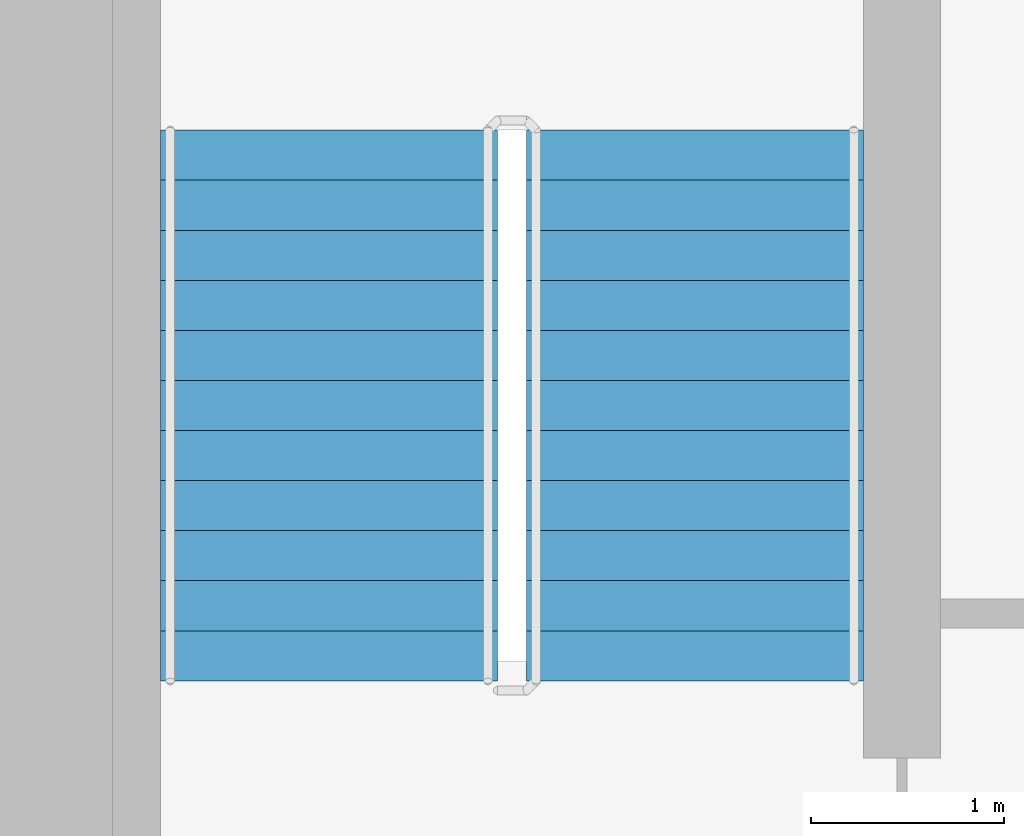
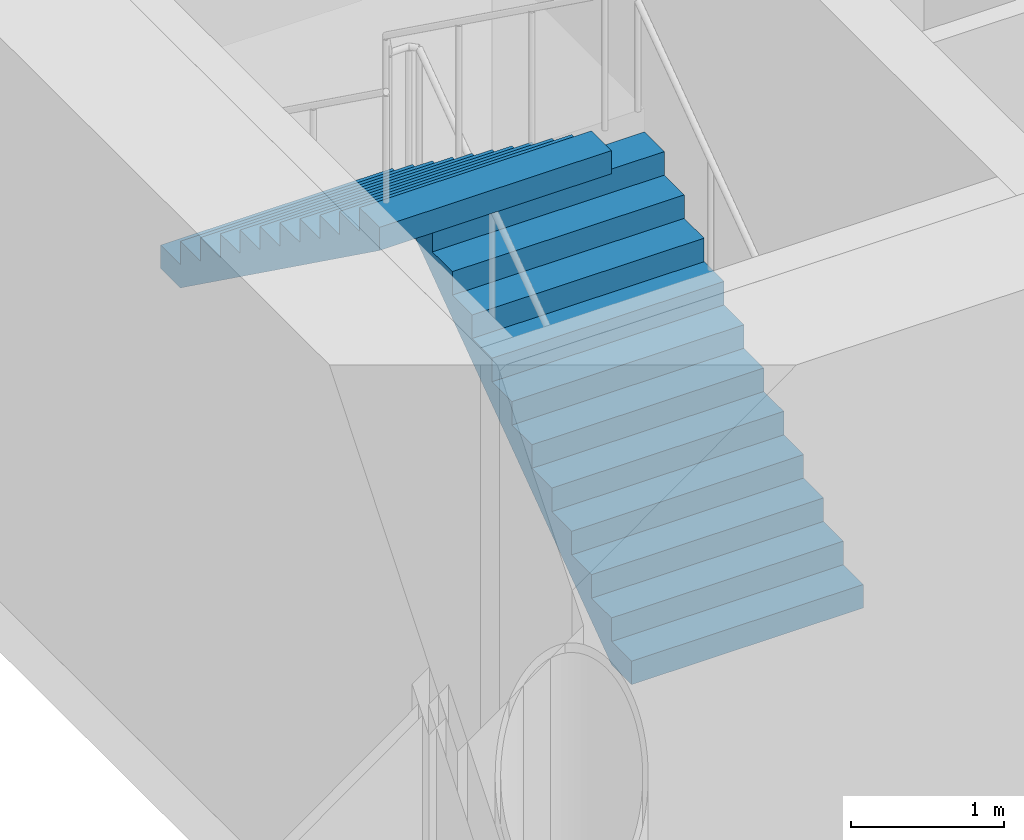
# One storey, part 18 of 20: 2 stair flights, 1 element without a shape of its own.
"""IFC4 building model written with IfcOpenShell, lengths in metres."""

from ifc_helpers import new_model, si_unit, direction, frame, origin, place, context, subcontext, project, spatial, faceted_brep, material, type_object, element, aggregate, save


model = new_model("IFC4")

# Units and contexts
model_context = context("Model", 3, precision=1e-05, world=origin(), true_north=direction((0.0, 1.0)))
body_context = subcontext(model_context, "Body", "Model", "MODEL_VIEW")
ifc_project = project(units=[si_unit("LENGTHUNIT", "METRE"), si_unit("AREAUNIT", "SQUARE_METRE"), si_unit("VOLUMEUNIT", "CUBIC_METRE"), si_unit("PLANEANGLEUNIT", "RADIAN"), si_unit("MASSUNIT", "GRAM", prefix="KILO")], contexts=[model_context])

# Site, building, storey
site_placement = place(None, origin())
site = spatial("IfcSite", under=ifc_project, at=site_placement, CompositionType="ELEMENT")
building_placement = place(site_placement, origin())
building = spatial("IfcBuilding", under=site, at=building_placement, Name="Ipe Terrace Towers", CompositionType="ELEMENT")
storey_placement = place(building_placement, frame((0.0, 0.0, 124.199951171875)))
storey = spatial("IfcBuildingStorey", under=building, at=storey_placement, Name="L34", CompositionType="ELEMENT", Elevation=124.199951171875)

# Stair, stair flights
ifc_material_1 = material(Name="Concrete C30/37", Category="concrete")
stair_type = type_object("IfcStairType", Name="Protected exit stair", PredefinedType="HALF_TURN_STAIR", material=ifc_material_1)
stair_placement = place(storey_placement, origin())
stair = element("IfcStair", 1, at=stair_placement, inside=storey, type_object=stair_type, Name="L34 Exit stair T2-C1", PredefinedType="HALF_TURN_STAIR")
ifc_material_2 = material(Name="Concrete C30/37", Category="concrete")
stair_flight_type = type_object("IfcStairFlightType", Name="Exit stair flight 1750", PredefinedType="STRAIGHT", material=ifc_material_2)
stair_flight_1_placement = place(storey_placement, frame((33.22509765625, 9.699951171875, 0.0), z_axis=(0.0, 0.0, 1.0), x_axis=(0.0, 1.0, 0.0)))
stair_flight_1 = element("IfcStairFlight", 2, at=stair_flight_1_placement, type_object=stair_flight_type, Name="T2-ST1 flight 1", NumberOfRisers=12, NumberOfTreads=11, PredefinedType="STRAIGHT", RiserHeight=0.1875, TreadLength=0.26, context=body_context, shape_type="Brep", body=[
    faceted_brep([(0.25634765625, -0.875, 0.0), (2.860107421875, -0.875, 1.877685546875), (2.860107421875, -0.875, 2.0625), (2.60009765625, -0.875, 2.0625), (2.60009765625, -0.875, 1.875), (2.340087890625, -0.875, 1.875), (2.340087890625, -0.875, 1.6875), (2.080078125, -0.875, 1.6875), (2.080078125, -0.875, 1.5), (1.820068359375, -0.875, 1.5), (1.820068359375, -0.875, 1.3125), (1.56005859375, -0.875, 1.3125), (1.56005859375, -0.875, 1.125), (1.300048828125, -0.875, 1.125), (1.300048828125, -0.875, 0.9375), (1.0400390625, -0.875, 0.9375), (1.0400390625, -0.875, 0.75), (0.780029296875, -0.875, 0.75), (0.780029296875, -0.875, 0.5625), (0.52001953125, -0.875, 0.5625), (0.52001953125, -0.875, 0.375), (0.260009765625, -0.875, 0.375), (0.260009765625, -0.875, 0.1875), (0.0, -0.875, 0.1875), (0.0, -0.875, 0.0), (0.0, 0.875, 0.0), (0.0, 0.875, 0.1875), (0.260009765625, 0.875, 0.1875), (0.260009765625, 0.875, 0.375), (0.52001953125, 0.875, 0.375), (0.52001953125, 0.875, 0.5625), (0.780029296875, 0.875, 0.5625), (0.780029296875, 0.875, 0.75), (1.0400390625, 0.875, 0.75), (1.0400390625, 0.875, 0.9375), (1.300048828125, 0.875, 0.9375), (1.300048828125, 0.875, 1.125), (1.56005859375, 0.875, 1.125), (1.56005859375, 0.875, 1.3125), (1.820068359375, 0.875, 1.3125), (1.820068359375, 0.875, 1.5), (2.080078125, 0.875, 1.5), (2.080078125, 0.875, 1.6875), (2.340087890625, 0.875, 1.6875), (2.340087890625, 0.875, 1.875), (2.60009765625, 0.875, 1.875), (2.60009765625, 0.875, 2.0625), (2.860107421875, 0.875, 2.0625), (2.860107421875, 0.875, 1.877685546875), (0.25634765625, 0.875, 0.0), (0.0, -0.300048828125, 0.1875), (0.0, -0.1201171875, 0.1875), (0.0, -0.06005859375, 0.1875), (0.0, -0.030029296875, 0.1875), (0.0, -0.010009765625, 0.1875), (0.0, 0.0, 0.1875), (0.0, 0.010009765625, 0.1875), (0.0, 0.030029296875, 0.1875), (0.0, 0.06005859375, 0.1875), (0.0, 0.1201171875, 0.1875), (0.0, 0.300048828125, 0.1875), (0.0, 0.300048828125, 0.0), (0.0, 0.1201171875, 0.0), (0.0, 0.06005859375, 0.0), (0.0, 0.030029296875, 0.0), (0.0, 0.010009765625, 0.0), (0.0, 0.0, 0.0), (0.0, -0.010009765625, 0.0), (0.0, -0.030029296875, 0.0), (0.0, -0.06005859375, 0.0), (0.0, -0.1201171875, 0.0), (0.0, -0.300048828125, 0.0), (0.260009765625, -0.300048828125, 0.1875), (0.260009765625, -0.1201171875, 0.1875), (0.260009765625, -0.06005859375, 0.1875), (0.260009765625, -0.030029296875, 0.1875), (0.260009765625, -0.010009765625, 0.1875), (0.260009765625, 0.0, 0.1875), (0.260009765625, 0.010009765625, 0.1875), (0.260009765625, 0.030029296875, 0.1875), (0.260009765625, 0.06005859375, 0.1875), (0.260009765625, 0.1201171875, 0.1875), (0.260009765625, 0.300048828125, 0.1875), (0.260009765625, -0.300048828125, 0.375), (0.260009765625, -0.1201171875, 0.375), (0.260009765625, -0.06005859375, 0.375), (0.260009765625, -0.030029296875, 0.375), (0.260009765625, -0.010009765625, 0.375), (0.260009765625, 0.0, 0.375), (0.260009765625, 0.010009765625, 0.375), (0.260009765625, 0.030029296875, 0.375), (0.260009765625, 0.06005859375, 0.375), (0.260009765625, 0.1201171875, 0.375), (0.260009765625, 0.300048828125, 0.375), (0.52001953125, -0.300048828125, 0.375), (0.52001953125, -0.1201171875, 0.375), (0.52001953125, -0.06005859375, 0.375), (0.52001953125, -0.030029296875, 0.375), (0.52001953125, -0.010009765625, 0.375), (0.52001953125, 0.0, 0.375), (0.52001953125, 0.010009765625, 0.375), (0.52001953125, 0.030029296875, 0.375), (0.52001953125, 0.06005859375, 0.375), (0.52001953125, 0.1201171875, 0.375), (0.52001953125, 0.300048828125, 0.375), (0.52001953125, -0.300048828125, 0.5625), (0.52001953125, -0.1201171875, 0.5625), (0.52001953125, -0.06005859375, 0.5625), (0.52001953125, -0.030029296875, 0.5625), (0.52001953125, -0.010009765625, 0.5625), (0.52001953125, 0.0, 0.5625), (0.52001953125, 0.010009765625, 0.5625), (0.52001953125, 0.030029296875, 0.5625), (0.52001953125, 0.06005859375, 0.5625), (0.52001953125, 0.1201171875, 0.5625), (0.52001953125, 0.300048828125, 0.5625), (0.780029296875, -0.300048828125, 0.5625), (0.780029296875, -0.1201171875, 0.5625), (0.780029296875, -0.06005859375, 0.5625), (0.780029296875, -0.030029296875, 0.5625), (0.780029296875, -0.010009765625, 0.5625), (0.780029296875, 0.0, 0.5625), (0.780029296875, 0.010009765625, 0.5625), (0.780029296875, 0.030029296875, 0.5625), (0.780029296875, 0.06005859375, 0.5625), (0.780029296875, 0.1201171875, 0.5625), (0.780029296875, 0.300048828125, 0.5625), (0.780029296875, -0.300048828125, 0.75), (0.780029296875, -0.1201171875, 0.75), (0.780029296875, -0.06005859375, 0.75), (0.780029296875, -0.030029296875, 0.75), (0.780029296875, -0.010009765625, 0.75), (0.780029296875, 0.0, 0.75), (0.780029296875, 0.010009765625, 0.75), (0.780029296875, 0.030029296875, 0.75), (0.780029296875, 0.06005859375, 0.75), (0.780029296875, 0.1201171875, 0.75), (0.780029296875, 0.300048828125, 0.75), (1.0400390625, -0.300048828125, 0.75), (1.0400390625, -0.1201171875, 0.75), (1.0400390625, -0.06005859375, 0.75), (1.0400390625, -0.030029296875, 0.75), (1.0400390625, -0.010009765625, 0.75), (1.0400390625, 0.0, 0.75), (1.0400390625, 0.010009765625, 0.75), (1.0400390625, 0.030029296875, 0.75), (1.0400390625, 0.06005859375, 0.75), (1.0400390625, 0.1201171875, 0.75), (1.0400390625, 0.300048828125, 0.75), (1.0400390625, -0.300048828125, 0.9375), (1.0400390625, -0.1201171875, 0.9375), (1.0400390625, -0.06005859375, 0.9375), (1.0400390625, -0.030029296875, 0.9375), (1.0400390625, -0.010009765625, 0.9375), (1.0400390625, 0.0, 0.9375), (1.0400390625, 0.010009765625, 0.9375), (1.0400390625, 0.030029296875, 0.9375), (1.0400390625, 0.06005859375, 0.9375), (1.0400390625, 0.1201171875, 0.9375), (1.0400390625, 0.300048828125, 0.9375), (1.300048828125, -0.300048828125, 0.9375), (1.300048828125, -0.1201171875, 0.9375), (1.300048828125, -0.06005859375, 0.9375), (1.300048828125, -0.030029296875, 0.9375), (1.300048828125, -0.010009765625, 0.9375), (1.300048828125, 0.0, 0.9375), (1.300048828125, 0.010009765625, 0.9375), (1.300048828125, 0.030029296875, 0.9375), (1.300048828125, 0.06005859375, 0.9375), (1.300048828125, 0.1201171875, 0.9375), (1.300048828125, 0.300048828125, 0.9375), (1.300048828125, -0.300048828125, 1.125), (1.300048828125, -0.1201171875, 1.125), (1.300048828125, -0.06005859375, 1.125), (1.300048828125, -0.030029296875, 1.125), (1.300048828125, -0.010009765625, 1.125), (1.300048828125, 0.0, 1.125), (1.300048828125, 0.010009765625, 1.125), (1.300048828125, 0.030029296875, 1.125), (1.300048828125, 0.06005859375, 1.125), (1.300048828125, 0.1201171875, 1.125), (1.300048828125, 0.300048828125, 1.125), (1.56005859375, -0.300048828125, 1.125), (1.56005859375, -0.1201171875, 1.125), (1.56005859375, -0.06005859375, 1.125), (1.56005859375, -0.030029296875, 1.125), (1.56005859375, -0.010009765625, 1.125), (1.56005859375, 0.0, 1.125), (1.56005859375, 0.010009765625, 1.125), (1.56005859375, 0.030029296875, 1.125), (1.56005859375, 0.06005859375, 1.125), (1.56005859375, 0.1201171875, 1.125), (1.56005859375, 0.300048828125, 1.125), (1.56005859375, -0.300048828125, 1.3125), (1.56005859375, -0.1201171875, 1.3125), (1.56005859375, -0.06005859375, 1.3125), (1.56005859375, -0.030029296875, 1.3125), (1.56005859375, -0.010009765625, 1.3125), (1.56005859375, 0.0, 1.3125), (1.56005859375, 0.010009765625, 1.3125), (1.56005859375, 0.030029296875, 1.3125), (1.56005859375, 0.06005859375, 1.3125), (1.56005859375, 0.1201171875, 1.3125), (1.56005859375, 0.300048828125, 1.3125), (1.820068359375, -0.300048828125, 1.3125), (1.820068359375, -0.1201171875, 1.3125), (1.820068359375, -0.06005859375, 1.3125), (1.820068359375, -0.030029296875, 1.3125), (1.820068359375, -0.010009765625, 1.3125), (1.820068359375, 0.0, 1.3125), (1.820068359375, 0.010009765625, 1.3125), (1.820068359375, 0.030029296875, 1.3125), (1.820068359375, 0.06005859375, 1.3125), (1.820068359375, 0.1201171875, 1.3125), (1.820068359375, 0.300048828125, 1.3125), (1.820068359375, -0.300048828125, 1.5), (1.820068359375, -0.1201171875, 1.5), (1.820068359375, -0.06005859375, 1.5), (1.820068359375, -0.030029296875, 1.5), (1.820068359375, -0.010009765625, 1.5), (1.820068359375, 0.0, 1.5), (1.820068359375, 0.010009765625, 1.5), (1.820068359375, 0.030029296875, 1.5), (1.820068359375, 0.06005859375, 1.5), (1.820068359375, 0.1201171875, 1.5), (1.820068359375, 0.300048828125, 1.5), (2.080078125, -0.300048828125, 1.5), (2.080078125, -0.1201171875, 1.5), (2.080078125, -0.06005859375, 1.5), (2.080078125, -0.030029296875, 1.5), (2.080078125, -0.010009765625, 1.5), (2.080078125, 0.0, 1.5), (2.080078125, 0.010009765625, 1.5), (2.080078125, 0.030029296875, 1.5), (2.080078125, 0.06005859375, 1.5), (2.080078125, 0.1201171875, 1.5), (2.080078125, 0.300048828125, 1.5), (2.080078125, -0.300048828125, 1.6875), (2.080078125, -0.1201171875, 1.6875), (2.080078125, -0.06005859375, 1.6875), (2.080078125, -0.030029296875, 1.6875), (2.080078125, -0.010009765625, 1.6875), (2.080078125, 0.0, 1.6875), (2.080078125, 0.010009765625, 1.6875), (2.080078125, 0.030029296875, 1.6875), (2.080078125, 0.06005859375, 1.6875), (2.080078125, 0.1201171875, 1.6875), (2.080078125, 0.300048828125, 1.6875), (2.340087890625, -0.300048828125, 1.6875), (2.340087890625, -0.1201171875, 1.6875), (2.340087890625, -0.06005859375, 1.6875), (2.340087890625, -0.030029296875, 1.6875), (2.340087890625, -0.010009765625, 1.6875), (2.340087890625, 0.0, 1.6875), (2.340087890625, 0.010009765625, 1.6875), (2.340087890625, 0.030029296875, 1.6875), (2.340087890625, 0.06005859375, 1.6875), (2.340087890625, 0.1201171875, 1.6875), (2.340087890625, 0.300048828125, 1.6875), (2.340087890625, -0.300048828125, 1.875), (2.340087890625, -0.1201171875, 1.875), (2.340087890625, -0.06005859375, 1.875), (2.340087890625, -0.030029296875, 1.875), (2.340087890625, -0.010009765625, 1.875), (2.340087890625, 0.0, 1.875), (2.340087890625, 0.010009765625, 1.875), (2.340087890625, 0.030029296875, 1.875), (2.340087890625, 0.06005859375, 1.875), (2.340087890625, 0.1201171875, 1.875), (2.340087890625, 0.300048828125, 1.875), (2.60009765625, -0.300048828125, 1.875), (2.60009765625, -0.1201171875, 1.875), (2.60009765625, -0.06005859375, 1.875), (2.60009765625, -0.030029296875, 1.875), (2.60009765625, -0.010009765625, 1.875), (2.60009765625, 0.0, 1.875), (2.60009765625, 0.010009765625, 1.875), (2.60009765625, 0.030029296875, 1.875), (2.60009765625, 0.06005859375, 1.875), (2.60009765625, 0.1201171875, 1.875), (2.60009765625, 0.300048828125, 1.875), (2.60009765625, -0.300048828125, 2.0625), (2.60009765625, -0.1201171875, 2.0625), (2.60009765625, -0.06005859375, 2.0625), (2.60009765625, -0.030029296875, 2.0625), (2.60009765625, -0.010009765625, 2.0625), (2.60009765625, 0.0, 2.0625), (2.60009765625, 0.010009765625, 2.0625), (2.60009765625, 0.030029296875, 2.0625), (2.60009765625, 0.06005859375, 2.0625), (2.60009765625, 0.1201171875, 2.0625), (2.60009765625, 0.300048828125, 2.0625), (2.860107421875, -0.300048828125, 2.0625), (2.860107421875, -0.1201171875, 2.0625), (2.860107421875, -0.06005859375, 2.0625), (2.860107421875, -0.030029296875, 2.0625), (2.860107421875, -0.010009765625, 2.0625), (2.860107421875, 0.0, 2.0625), (2.860107421875, 0.010009765625, 2.0625), (2.860107421875, 0.030029296875, 2.0625), (2.860107421875, 0.06005859375, 2.0625), (2.860107421875, 0.1201171875, 2.0625), (2.860107421875, 0.300048828125, 2.0625), (2.860107421875, -0.300048828125, 1.877685546875), (2.860107421875, -0.1201171875, 1.877685546875), (2.860107421875, -0.06005859375, 1.877685546875), (2.860107421875, -0.030029296875, 1.877685546875), (2.860107421875, -0.010009765625, 1.877685546875), (2.860107421875, 0.0, 1.877685546875), (2.860107421875, 0.010009765625, 1.877685546875), (2.860107421875, 0.030029296875, 1.877685546875), (2.860107421875, 0.06005859375, 1.877685546875), (2.860107421875, 0.1201171875, 1.877685546875), (2.860107421875, 0.300048828125, 1.877685546875), (0.25634765625, -0.300048828125, 0.0), (0.25634765625, -0.1201171875, 0.0), (0.25634765625, -0.06005859375, 0.0), (0.25634765625, -0.030029296875, 0.0), (0.25634765625, -0.010009765625, 0.0), (0.25634765625, 0.0, 0.0), (0.25634765625, 0.010009765625, 0.0), (0.25634765625, 0.030029296875, 0.0), (0.25634765625, 0.06005859375, 0.0), (0.25634765625, 0.1201171875, 0.0), (0.25634765625, 0.300048828125, 0.0)], [[[0, 1, 2, 3, 4, 5, 6, 7, 8, 9, 10, 11, 12, 13, 14, 15, 16, 17, 18, 19, 20, 21, 22, 23, 24]], [[25, 26, 27, 28, 29, 30, 31, 32, 33, 34, 35, 36, 37, 38, 39, 40, 41, 42, 43, 44, 45, 46, 47, 48, 49]], [[23, 50, 51, 52, 53, 54, 55, 56, 57, 58, 59, 60, 26, 25, 61, 62, 63, 64, 65, 66, 67, 68, 69, 70, 71, 24]], [[22, 72, 73, 74, 75, 76, 77, 78, 79, 80, 81, 82, 27, 26, 60, 59, 58, 57, 56, 55, 54, 53, 52, 51, 50, 23]], [[21, 83, 84, 85, 86, 87, 88, 89, 90, 91, 92, 93, 28, 27, 82, 81, 80, 79, 78, 77, 76, 75, 74, 73, 72, 22]], [[20, 94, 95, 96, 97, 98, 99, 100, 101, 102, 103, 104, 29, 28, 93, 92, 91, 90, 89, 88, 87, 86, 85, 84, 83, 21]], [[19, 105, 106, 107, 108, 109, 110, 111, 112, 113, 114, 115, 30, 29, 104, 103, 102, 101, 100, 99, 98, 97, 96, 95, 94, 20]], [[18, 116, 117, 118, 119, 120, 121, 122, 123, 124, 125, 126, 31, 30, 115, 114, 113, 112, 111, 110, 109, 108, 107, 106, 105, 19]], [[17, 127, 128, 129, 130, 131, 132, 133, 134, 135, 136, 137, 32, 31, 126, 125, 124, 123, 122, 121, 120, 119, 118, 117, 116, 18]], [[16, 138, 139, 140, 141, 142, 143, 144, 145, 146, 147, 148, 33, 32, 137, 136, 135, 134, 133, 132, 131, 130, 129, 128, 127, 17]], [[15, 149, 150, 151, 152, 153, 154, 155, 156, 157, 158, 159, 34, 33, 148, 147, 146, 145, 144, 143, 142, 141, 140, 139, 138, 16]], [[14, 160, 161, 162, 163, 164, 165, 166, 167, 168, 169, 170, 35, 34, 159, 158, 157, 156, 155, 154, 153, 152, 151, 150, 149, 15]], [[13, 171, 172, 173, 174, 175, 176, 177, 178, 179, 180, 181, 36, 35, 170, 169, 168, 167, 166, 165, 164, 163, 162, 161, 160, 14]], [[12, 182, 183, 184, 185, 186, 187, 188, 189, 190, 191, 192, 37, 36, 181, 180, 179, 178, 177, 176, 175, 174, 173, 172, 171, 13]], [[11, 193, 194, 195, 196, 197, 198, 199, 200, 201, 202, 203, 38, 37, 192, 191, 190, 189, 188, 187, 186, 185, 184, 183, 182, 12]], [[10, 204, 205, 206, 207, 208, 209, 210, 211, 212, 213, 214, 39, 38, 203, 202, 201, 200, 199, 198, 197, 196, 195, 194, 193, 11]], [[9, 215, 216, 217, 218, 219, 220, 221, 222, 223, 224, 225, 40, 39, 214, 213, 212, 211, 210, 209, 208, 207, 206, 205, 204, 10]], [[8, 226, 227, 228, 229, 230, 231, 232, 233, 234, 235, 236, 41, 40, 225, 224, 223, 222, 221, 220, 219, 218, 217, 216, 215, 9]], [[7, 237, 238, 239, 240, 241, 242, 243, 244, 245, 246, 247, 42, 41, 236, 235, 234, 233, 232, 231, 230, 229, 228, 227, 226, 8]], [[6, 248, 249, 250, 251, 252, 253, 254, 255, 256, 257, 258, 43, 42, 247, 246, 245, 244, 243, 242, 241, 240, 239, 238, 237, 7]], [[5, 259, 260, 261, 262, 263, 264, 265, 266, 267, 268, 269, 44, 43, 258, 257, 256, 255, 254, 253, 252, 251, 250, 249, 248, 6]], [[4, 270, 271, 272, 273, 274, 275, 276, 277, 278, 279, 280, 45, 44, 269, 268, 267, 266, 265, 264, 263, 262, 261, 260, 259, 5]], [[3, 281, 282, 283, 284, 285, 286, 287, 288, 289, 290, 291, 46, 45, 280, 279, 278, 277, 276, 275, 274, 273, 272, 271, 270, 4]], [[2, 292, 293, 294, 295, 296, 297, 298, 299, 300, 301, 302, 47, 46, 291, 290, 289, 288, 287, 286, 285, 284, 283, 282, 281, 3]], [[1, 303, 304, 305, 306, 307, 308, 309, 310, 311, 312, 313, 48, 47, 302, 301, 300, 299, 298, 297, 296, 295, 294, 293, 292, 2]], [[0, 314, 315, 316, 317, 318, 319, 320, 321, 322, 323, 324, 49, 48, 313, 312, 311, 310, 309, 308, 307, 306, 305, 304, 303, 1]], [[24, 71, 70, 69, 68, 67, 66, 65, 64, 63, 62, 61, 25, 49, 324, 323, 322, 321, 320, 319, 318, 317, 316, 315, 314, 0]]]),
])
stair_flight_2_placement = place(storey_placement, frame((31.324951171875, 12.56005859375, 2.25), z_axis=(0.0, 0.0, 1.0), x_axis=(0.0, -1.0, 0.0)))
stair_flight_2 = element("IfcStairFlight", 3, at=stair_flight_2_placement, type_object=stair_flight_type, Name="T2-ST1 flight 2", NumberOfRisers=12, NumberOfTreads=11, PredefinedType="STRAIGHT", RiserHeight=0.1875, TreadLength=0.26, context=body_context, shape_type="Brep", body=[
    faceted_brep([(0.25634765625, -0.875, 0.0), (2.860107421875, -0.875, 1.877685546875), (2.860107421875, -0.875, 2.0625), (2.60009765625, -0.875, 2.0625), (2.60009765625, -0.875, 1.875), (2.340087890625, -0.875, 1.875), (2.340087890625, -0.875, 1.6875), (2.080078125, -0.875, 1.6875), (2.080078125, -0.875, 1.5), (1.820068359375, -0.875, 1.5), (1.820068359375, -0.875, 1.3125), (1.56005859375, -0.875, 1.3125), (1.56005859375, -0.875, 1.125), (1.300048828125, -0.875, 1.125), (1.300048828125, -0.875, 0.9375), (1.0400390625, -0.875, 0.9375), (1.0400390625, -0.875, 0.75), (0.780029296875, -0.875, 0.75), (0.780029296875, -0.875, 0.5625), (0.52001953125, -0.875, 0.5625), (0.52001953125, -0.875, 0.375), (0.260009765625, -0.875, 0.375), (0.260009765625, -0.875, 0.1875), (0.0, -0.875, 0.1875), (0.0, -0.875, 0.0), (0.0, 0.875, 0.0), (0.0, 0.875, 0.1875), (0.260009765625, 0.875, 0.1875), (0.260009765625, 0.875, 0.375), (0.52001953125, 0.875, 0.375), (0.52001953125, 0.875, 0.5625), (0.780029296875, 0.875, 0.5625), (0.780029296875, 0.875, 0.75), (1.0400390625, 0.875, 0.75), (1.0400390625, 0.875, 0.9375), (1.300048828125, 0.875, 0.9375), (1.300048828125, 0.875, 1.125), (1.56005859375, 0.875, 1.125), (1.56005859375, 0.875, 1.3125), (1.820068359375, 0.875, 1.3125), (1.820068359375, 0.875, 1.5), (2.080078125, 0.875, 1.5), (2.080078125, 0.875, 1.6875), (2.340087890625, 0.875, 1.6875), (2.340087890625, 0.875, 1.875), (2.60009765625, 0.875, 1.875), (2.60009765625, 0.875, 2.0625), (2.860107421875, 0.875, 2.0625), (2.860107421875, 0.875, 1.877685546875), (0.25634765625, 0.875, 0.0), (0.0, -0.300048828125, 0.1875), (0.0, -0.1201171875, 0.1875), (0.0, -0.06005859375, 0.1875), (0.0, -0.030029296875, 0.1875), (0.0, -0.010009765625, 0.1875), (0.0, 0.0, 0.1875), (0.0, 0.010009765625, 0.1875), (0.0, 0.030029296875, 0.1875), (0.0, 0.06005859375, 0.1875), (0.0, 0.1201171875, 0.1875), (0.0, 0.300048828125, 0.1875), (0.0, 0.300048828125, 0.0), (0.0, 0.1201171875, 0.0), (0.0, 0.06005859375, 0.0), (0.0, 0.030029296875, 0.0), (0.0, 0.010009765625, 0.0), (0.0, 0.0, 0.0), (0.0, -0.010009765625, 0.0), (0.0, -0.030029296875, 0.0), (0.0, -0.06005859375, 0.0), (0.0, -0.1201171875, 0.0), (0.0, -0.300048828125, 0.0), (0.260009765625, -0.300048828125, 0.1875), (0.260009765625, -0.1201171875, 0.1875), (0.260009765625, -0.06005859375, 0.1875), (0.260009765625, -0.030029296875, 0.1875), (0.260009765625, -0.010009765625, 0.1875), (0.260009765625, 0.0, 0.1875), (0.260009765625, 0.010009765625, 0.1875), (0.260009765625, 0.030029296875, 0.1875), (0.260009765625, 0.06005859375, 0.1875), (0.260009765625, 0.1201171875, 0.1875), (0.260009765625, 0.300048828125, 0.1875), (0.260009765625, -0.300048828125, 0.375), (0.260009765625, -0.1201171875, 0.375), (0.260009765625, -0.06005859375, 0.375), (0.260009765625, -0.030029296875, 0.375), (0.260009765625, -0.010009765625, 0.375), (0.260009765625, 0.0, 0.375), (0.260009765625, 0.010009765625, 0.375), (0.260009765625, 0.030029296875, 0.375), (0.260009765625, 0.06005859375, 0.375), (0.260009765625, 0.1201171875, 0.375), (0.260009765625, 0.300048828125, 0.375), (0.52001953125, -0.300048828125, 0.375), (0.52001953125, -0.1201171875, 0.375), (0.52001953125, -0.06005859375, 0.375), (0.52001953125, -0.030029296875, 0.375), (0.52001953125, -0.010009765625, 0.375), (0.52001953125, 0.0, 0.375), (0.52001953125, 0.010009765625, 0.375), (0.52001953125, 0.030029296875, 0.375), (0.52001953125, 0.06005859375, 0.375), (0.52001953125, 0.1201171875, 0.375), (0.52001953125, 0.300048828125, 0.375), (0.52001953125, -0.300048828125, 0.5625), (0.52001953125, -0.1201171875, 0.5625), (0.52001953125, -0.06005859375, 0.5625), (0.52001953125, -0.030029296875, 0.5625), (0.52001953125, -0.010009765625, 0.5625), (0.52001953125, 0.0, 0.5625), (0.52001953125, 0.010009765625, 0.5625), (0.52001953125, 0.030029296875, 0.5625), (0.52001953125, 0.06005859375, 0.5625), (0.52001953125, 0.1201171875, 0.5625), (0.52001953125, 0.300048828125, 0.5625), (0.780029296875, -0.300048828125, 0.5625), (0.780029296875, -0.1201171875, 0.5625), (0.780029296875, -0.06005859375, 0.5625), (0.780029296875, -0.030029296875, 0.5625), (0.780029296875, -0.010009765625, 0.5625), (0.780029296875, 0.0, 0.5625), (0.780029296875, 0.010009765625, 0.5625), (0.780029296875, 0.030029296875, 0.5625), (0.780029296875, 0.06005859375, 0.5625), (0.780029296875, 0.1201171875, 0.5625), (0.780029296875, 0.300048828125, 0.5625), (0.780029296875, -0.300048828125, 0.75), (0.780029296875, -0.1201171875, 0.75), (0.780029296875, -0.06005859375, 0.75), (0.780029296875, -0.030029296875, 0.75), (0.780029296875, -0.010009765625, 0.75), (0.780029296875, 0.0, 0.75), (0.780029296875, 0.010009765625, 0.75), (0.780029296875, 0.030029296875, 0.75), (0.780029296875, 0.06005859375, 0.75), (0.780029296875, 0.1201171875, 0.75), (0.780029296875, 0.300048828125, 0.75), (1.0400390625, -0.300048828125, 0.75), (1.0400390625, -0.1201171875, 0.75), (1.0400390625, -0.06005859375, 0.75), (1.0400390625, -0.030029296875, 0.75), (1.0400390625, -0.010009765625, 0.75), (1.0400390625, 0.0, 0.75), (1.0400390625, 0.010009765625, 0.75), (1.0400390625, 0.030029296875, 0.75), (1.0400390625, 0.06005859375, 0.75), (1.0400390625, 0.1201171875, 0.75), (1.0400390625, 0.300048828125, 0.75), (1.0400390625, -0.300048828125, 0.9375), (1.0400390625, -0.1201171875, 0.9375), (1.0400390625, -0.06005859375, 0.9375), (1.0400390625, -0.030029296875, 0.9375), (1.0400390625, -0.010009765625, 0.9375), (1.0400390625, 0.0, 0.9375), (1.0400390625, 0.010009765625, 0.9375), (1.0400390625, 0.030029296875, 0.9375), (1.0400390625, 0.06005859375, 0.9375), (1.0400390625, 0.1201171875, 0.9375), (1.0400390625, 0.300048828125, 0.9375), (1.300048828125, -0.300048828125, 0.9375), (1.300048828125, -0.1201171875, 0.9375), (1.300048828125, -0.06005859375, 0.9375), (1.300048828125, -0.030029296875, 0.9375), (1.300048828125, -0.010009765625, 0.9375), (1.300048828125, 0.0, 0.9375), (1.300048828125, 0.010009765625, 0.9375), (1.300048828125, 0.030029296875, 0.9375), (1.300048828125, 0.06005859375, 0.9375), (1.300048828125, 0.1201171875, 0.9375), (1.300048828125, 0.300048828125, 0.9375), (1.300048828125, -0.300048828125, 1.125), (1.300048828125, -0.1201171875, 1.125), (1.300048828125, -0.06005859375, 1.125), (1.300048828125, -0.030029296875, 1.125), (1.300048828125, -0.010009765625, 1.125), (1.300048828125, 0.0, 1.125), (1.300048828125, 0.010009765625, 1.125), (1.300048828125, 0.030029296875, 1.125), (1.300048828125, 0.06005859375, 1.125), (1.300048828125, 0.1201171875, 1.125), (1.300048828125, 0.300048828125, 1.125), (1.56005859375, -0.300048828125, 1.125), (1.56005859375, -0.1201171875, 1.125), (1.56005859375, -0.06005859375, 1.125), (1.56005859375, -0.030029296875, 1.125), (1.56005859375, -0.010009765625, 1.125), (1.56005859375, 0.0, 1.125), (1.56005859375, 0.010009765625, 1.125), (1.56005859375, 0.030029296875, 1.125), (1.56005859375, 0.06005859375, 1.125), (1.56005859375, 0.1201171875, 1.125), (1.56005859375, 0.300048828125, 1.125), (1.56005859375, -0.300048828125, 1.3125), (1.56005859375, -0.1201171875, 1.3125), (1.56005859375, -0.06005859375, 1.3125), (1.56005859375, -0.030029296875, 1.3125), (1.56005859375, -0.010009765625, 1.3125), (1.56005859375, 0.0, 1.3125), (1.56005859375, 0.010009765625, 1.3125), (1.56005859375, 0.030029296875, 1.3125), (1.56005859375, 0.06005859375, 1.3125), (1.56005859375, 0.1201171875, 1.3125), (1.56005859375, 0.300048828125, 1.3125), (1.820068359375, -0.300048828125, 1.3125), (1.820068359375, -0.1201171875, 1.3125), (1.820068359375, -0.06005859375, 1.3125), (1.820068359375, -0.030029296875, 1.3125), (1.820068359375, -0.010009765625, 1.3125), (1.820068359375, 0.0, 1.3125), (1.820068359375, 0.010009765625, 1.3125), (1.820068359375, 0.030029296875, 1.3125), (1.820068359375, 0.06005859375, 1.3125), (1.820068359375, 0.1201171875, 1.3125), (1.820068359375, 0.300048828125, 1.3125), (1.820068359375, -0.300048828125, 1.5), (1.820068359375, -0.1201171875, 1.5), (1.820068359375, -0.06005859375, 1.5), (1.820068359375, -0.030029296875, 1.5), (1.820068359375, -0.010009765625, 1.5), (1.820068359375, 0.0, 1.5), (1.820068359375, 0.010009765625, 1.5), (1.820068359375, 0.030029296875, 1.5), (1.820068359375, 0.06005859375, 1.5), (1.820068359375, 0.1201171875, 1.5), (1.820068359375, 0.300048828125, 1.5), (2.080078125, -0.300048828125, 1.5), (2.080078125, -0.1201171875, 1.5), (2.080078125, -0.06005859375, 1.5), (2.080078125, -0.030029296875, 1.5), (2.080078125, -0.010009765625, 1.5), (2.080078125, 0.0, 1.5), (2.080078125, 0.010009765625, 1.5), (2.080078125, 0.030029296875, 1.5), (2.080078125, 0.06005859375, 1.5), (2.080078125, 0.1201171875, 1.5), (2.080078125, 0.300048828125, 1.5), (2.080078125, -0.300048828125, 1.6875), (2.080078125, -0.1201171875, 1.6875), (2.080078125, -0.06005859375, 1.6875), (2.080078125, -0.030029296875, 1.6875), (2.080078125, -0.010009765625, 1.6875), (2.080078125, 0.0, 1.6875), (2.080078125, 0.010009765625, 1.6875), (2.080078125, 0.030029296875, 1.6875), (2.080078125, 0.06005859375, 1.6875), (2.080078125, 0.1201171875, 1.6875), (2.080078125, 0.300048828125, 1.6875), (2.340087890625, -0.300048828125, 1.6875), (2.340087890625, -0.1201171875, 1.6875), (2.340087890625, -0.06005859375, 1.6875), (2.340087890625, -0.030029296875, 1.6875), (2.340087890625, -0.010009765625, 1.6875), (2.340087890625, 0.0, 1.6875), (2.340087890625, 0.010009765625, 1.6875), (2.340087890625, 0.030029296875, 1.6875), (2.340087890625, 0.06005859375, 1.6875), (2.340087890625, 0.1201171875, 1.6875), (2.340087890625, 0.300048828125, 1.6875), (2.340087890625, -0.300048828125, 1.875), (2.340087890625, -0.1201171875, 1.875), (2.340087890625, -0.06005859375, 1.875), (2.340087890625, -0.030029296875, 1.875), (2.340087890625, -0.010009765625, 1.875), (2.340087890625, 0.0, 1.875), (2.340087890625, 0.010009765625, 1.875), (2.340087890625, 0.030029296875, 1.875), (2.340087890625, 0.06005859375, 1.875), (2.340087890625, 0.1201171875, 1.875), (2.340087890625, 0.300048828125, 1.875), (2.60009765625, -0.300048828125, 1.875), (2.60009765625, -0.1201171875, 1.875), (2.60009765625, -0.06005859375, 1.875), (2.60009765625, -0.030029296875, 1.875), (2.60009765625, -0.010009765625, 1.875), (2.60009765625, 0.0, 1.875), (2.60009765625, 0.010009765625, 1.875), (2.60009765625, 0.030029296875, 1.875), (2.60009765625, 0.06005859375, 1.875), (2.60009765625, 0.1201171875, 1.875), (2.60009765625, 0.300048828125, 1.875), (2.60009765625, -0.300048828125, 2.0625), (2.60009765625, -0.1201171875, 2.0625), (2.60009765625, -0.06005859375, 2.0625), (2.60009765625, -0.030029296875, 2.0625), (2.60009765625, -0.010009765625, 2.0625), (2.60009765625, 0.0, 2.0625), (2.60009765625, 0.010009765625, 2.0625), (2.60009765625, 0.030029296875, 2.0625), (2.60009765625, 0.06005859375, 2.0625), (2.60009765625, 0.1201171875, 2.0625), (2.60009765625, 0.300048828125, 2.0625), (2.860107421875, -0.300048828125, 2.0625), (2.860107421875, -0.1201171875, 2.0625), (2.860107421875, -0.06005859375, 2.0625), (2.860107421875, -0.030029296875, 2.0625), (2.860107421875, -0.010009765625, 2.0625), (2.860107421875, 0.0, 2.0625), (2.860107421875, 0.010009765625, 2.0625), (2.860107421875, 0.030029296875, 2.0625), (2.860107421875, 0.06005859375, 2.0625), (2.860107421875, 0.1201171875, 2.0625), (2.860107421875, 0.300048828125, 2.0625), (2.860107421875, -0.300048828125, 1.877685546875), (2.860107421875, -0.1201171875, 1.877685546875), (2.860107421875, -0.06005859375, 1.877685546875), (2.860107421875, -0.030029296875, 1.877685546875), (2.860107421875, -0.010009765625, 1.877685546875), (2.860107421875, 0.0, 1.877685546875), (2.860107421875, 0.010009765625, 1.877685546875), (2.860107421875, 0.030029296875, 1.877685546875), (2.860107421875, 0.06005859375, 1.877685546875), (2.860107421875, 0.1201171875, 1.877685546875), (2.860107421875, 0.300048828125, 1.877685546875), (0.25634765625, -0.300048828125, 0.0), (0.25634765625, -0.1201171875, 0.0), (0.25634765625, -0.06005859375, 0.0), (0.25634765625, -0.030029296875, 0.0), (0.25634765625, -0.010009765625, 0.0), (0.25634765625, 0.0, 0.0), (0.25634765625, 0.010009765625, 0.0), (0.25634765625, 0.030029296875, 0.0), (0.25634765625, 0.06005859375, 0.0), (0.25634765625, 0.1201171875, 0.0), (0.25634765625, 0.300048828125, 0.0)], [[[0, 1, 2, 3, 4, 5, 6, 7, 8, 9, 10, 11, 12, 13, 14, 15, 16, 17, 18, 19, 20, 21, 22, 23, 24]], [[25, 26, 27, 28, 29, 30, 31, 32, 33, 34, 35, 36, 37, 38, 39, 40, 41, 42, 43, 44, 45, 46, 47, 48, 49]], [[23, 50, 51, 52, 53, 54, 55, 56, 57, 58, 59, 60, 26, 25, 61, 62, 63, 64, 65, 66, 67, 68, 69, 70, 71, 24]], [[22, 72, 73, 74, 75, 76, 77, 78, 79, 80, 81, 82, 27, 26, 60, 59, 58, 57, 56, 55, 54, 53, 52, 51, 50, 23]], [[21, 83, 84, 85, 86, 87, 88, 89, 90, 91, 92, 93, 28, 27, 82, 81, 80, 79, 78, 77, 76, 75, 74, 73, 72, 22]], [[20, 94, 95, 96, 97, 98, 99, 100, 101, 102, 103, 104, 29, 28, 93, 92, 91, 90, 89, 88, 87, 86, 85, 84, 83, 21]], [[19, 105, 106, 107, 108, 109, 110, 111, 112, 113, 114, 115, 30, 29, 104, 103, 102, 101, 100, 99, 98, 97, 96, 95, 94, 20]], [[18, 116, 117, 118, 119, 120, 121, 122, 123, 124, 125, 126, 31, 30, 115, 114, 113, 112, 111, 110, 109, 108, 107, 106, 105, 19]], [[17, 127, 128, 129, 130, 131, 132, 133, 134, 135, 136, 137, 32, 31, 126, 125, 124, 123, 122, 121, 120, 119, 118, 117, 116, 18]], [[16, 138, 139, 140, 141, 142, 143, 144, 145, 146, 147, 148, 33, 32, 137, 136, 135, 134, 133, 132, 131, 130, 129, 128, 127, 17]], [[15, 149, 150, 151, 152, 153, 154, 155, 156, 157, 158, 159, 34, 33, 148, 147, 146, 145, 144, 143, 142, 141, 140, 139, 138, 16]], [[14, 160, 161, 162, 163, 164, 165, 166, 167, 168, 169, 170, 35, 34, 159, 158, 157, 156, 155, 154, 153, 152, 151, 150, 149, 15]], [[13, 171, 172, 173, 174, 175, 176, 177, 178, 179, 180, 181, 36, 35, 170, 169, 168, 167, 166, 165, 164, 163, 162, 161, 160, 14]], [[12, 182, 183, 184, 185, 186, 187, 188, 189, 190, 191, 192, 37, 36, 181, 180, 179, 178, 177, 176, 175, 174, 173, 172, 171, 13]], [[11, 193, 194, 195, 196, 197, 198, 199, 200, 201, 202, 203, 38, 37, 192, 191, 190, 189, 188, 187, 186, 185, 184, 183, 182, 12]], [[10, 204, 205, 206, 207, 208, 209, 210, 211, 212, 213, 214, 39, 38, 203, 202, 201, 200, 199, 198, 197, 196, 195, 194, 193, 11]], [[9, 215, 216, 217, 218, 219, 220, 221, 222, 223, 224, 225, 40, 39, 214, 213, 212, 211, 210, 209, 208, 207, 206, 205, 204, 10]], [[8, 226, 227, 228, 229, 230, 231, 232, 233, 234, 235, 236, 41, 40, 225, 224, 223, 222, 221, 220, 219, 218, 217, 216, 215, 9]], [[7, 237, 238, 239, 240, 241, 242, 243, 244, 245, 246, 247, 42, 41, 236, 235, 234, 233, 232, 231, 230, 229, 228, 227, 226, 8]], [[6, 248, 249, 250, 251, 252, 253, 254, 255, 256, 257, 258, 43, 42, 247, 246, 245, 244, 243, 242, 241, 240, 239, 238, 237, 7]], [[5, 259, 260, 261, 262, 263, 264, 265, 266, 267, 268, 269, 44, 43, 258, 257, 256, 255, 254, 253, 252, 251, 250, 249, 248, 6]], [[4, 270, 271, 272, 273, 274, 275, 276, 277, 278, 279, 280, 45, 44, 269, 268, 267, 266, 265, 264, 263, 262, 261, 260, 259, 5]], [[3, 281, 282, 283, 284, 285, 286, 287, 288, 289, 290, 291, 46, 45, 280, 279, 278, 277, 276, 275, 274, 273, 272, 271, 270, 4]], [[2, 292, 293, 294, 295, 296, 297, 298, 299, 300, 301, 302, 47, 46, 291, 290, 289, 288, 287, 286, 285, 284, 283, 282, 281, 3]], [[1, 303, 304, 305, 306, 307, 308, 309, 310, 311, 312, 313, 48, 47, 302, 301, 300, 299, 298, 297, 296, 295, 294, 293, 292, 2]], [[0, 314, 315, 316, 317, 318, 319, 320, 321, 322, 323, 324, 49, 48, 313, 312, 311, 310, 309, 308, 307, 306, 305, 304, 303, 1]], [[24, 71, 70, 69, 68, 67, 66, 65, 64, 63, 62, 61, 25, 49, 324, 323, 322, 321, 320, 319, 318, 317, 316, 315, 314, 0]]]),
])
aggregate(stair, [stair_flight_1, stair_flight_2])

save(model, "model.ifc")
